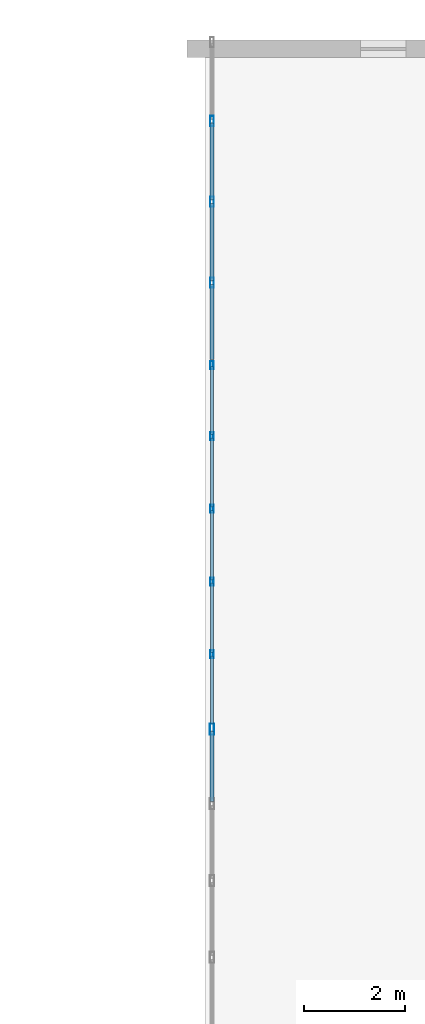
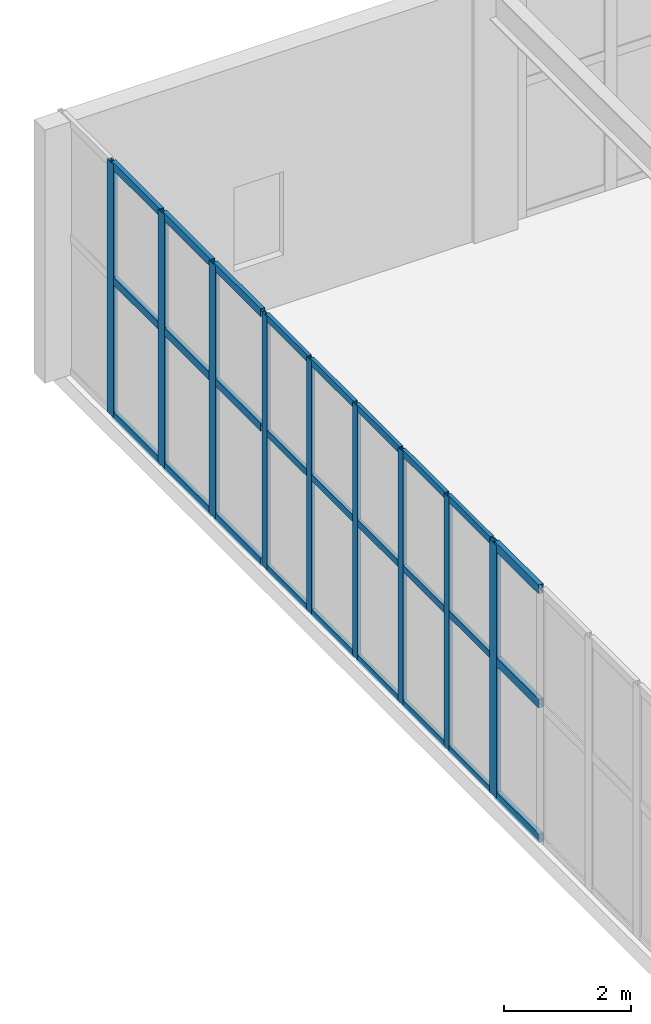
# One storey, part 73 of 128: 36 members, 3 elements without a shape of their own.
"""IFC4 building model written with IfcOpenShell, lengths in metres."""

from ifc_helpers import new_model, si_unit, direction, frame, origin, origin_2d, place, context, subcontext, project, spatial, hollow_rectangle, extrude, material, layer, layer_set, material_profile, profile_set, type_object, element, aggregate, save


model = new_model("IFC4")

# Units and contexts
model_context = context("Model", 3, precision=1e-05, world=origin(), true_north=direction((0.0, 1.0)))
body_context = subcontext(model_context, "Body", "Model", "MODEL_VIEW")
ifc_project = project(units=[si_unit("LENGTHUNIT", "METRE"), si_unit("AREAUNIT", "SQUARE_METRE"), si_unit("VOLUMEUNIT", "CUBIC_METRE"), si_unit("PLANEANGLEUNIT", "RADIAN"), si_unit("MASSUNIT", "GRAM", prefix="KILO")], contexts=[model_context])

# Site, building, storey
site_placement = place(None, origin())
site = spatial("IfcSite", under=ifc_project, at=site_placement, CompositionType="ELEMENT")
building_placement = place(site_placement, origin())
building = spatial("IfcBuilding", under=site, at=building_placement, Name="Xicomal Pleat Aquarium", CompositionType="ELEMENT")
storey_placement = place(building_placement, frame((0.0, 0.0, 5.39990234375)))
storey = spatial("IfcBuildingStorey", under=building, at=storey_placement, Name="L02", CompositionType="ELEMENT", Elevation=5.39990234375)

# Curtain wall, members
ifc_material_1 = material(Name="Bronze anodized aluminium 6063-T6", Category="aluminium")
ifc_layer_1 = layer(ifc_material_1, 0.159912109375)
ifc_layer_set_1 = layer_set([ifc_layer_1], Name="Bronze anodized aluminium 6063-T6")
curtain_wall_type_1 = type_object("IfcCurtainWallType", Name="CW-SYS-02", PredefinedType="NOTDEFINED", material=ifc_layer_set_1)
curtain_wall_1_placement = place(storey_placement, origin())
curtain_wall_1 = element("IfcCurtainWall", 1, at=curtain_wall_1_placement, inside=storey, type_object=curtain_wall_type_1, Name="L02 unitised curtain wall CW-L02-087", PredefinedType="NOTDEFINED")
ifc_material_2 = material(Name="Bronze anodized aluminium 6063-T6", Category="aluminium")
ifc_material_profile_1 = material_profile(ifc_material_2, hollow_rectangle(XDim=0.06494140625, YDim=0.159912109375, WallThickness=0.00390625, at=origin_2d()), Name="ALU MULL 65x160")
ifc_profile_set_1 = profile_set([ifc_material_profile_1], Name="Bronze anodized aluminium 6063-T6")
member_type_1 = type_object("IfcMemberType", Name="CWM-65x160", PredefinedType="MULLION", material=ifc_profile_set_1)
member_1_placement = place(storey_placement, frame((126.139892578125, 92.639892578125, 0.0), z_axis=(0.0, 0.0, 1.0), x_axis=(-1.0, 0.0, 0.0)))
member_1 = element("IfcMember", 2, at=member_1_placement, type_object=member_type_1, Name="CW-02 mullion 2", PredefinedType="MULLION", context=body_context, shape_type="SweptSolid", body=[
    extrude(hollow_rectangle(XDim=0.06494140625, YDim=0.159912109375, WallThickness=0.00390625, at=origin_2d()), origin(), (0.0, 0.0, 1.0), 4.860107421875),
])
member_2_placement = place(storey_placement, frame((126.139892578125, 94.080078125, 0.0), z_axis=(0.0, 0.0, 1.0), x_axis=(-1.0, 0.0, 0.0)))
member_2 = element("IfcMember", 3, at=member_2_placement, type_object=member_type_1, Name="CW-02 mullion 3", PredefinedType="MULLION", context=body_context, shape_type="SweptSolid", body=[
    extrude(hollow_rectangle(XDim=0.06494140625, YDim=0.159912109375, WallThickness=0.00390625, at=origin_2d()), origin(), (0.0, 0.0, 1.0), 4.860107421875),
])
member_3_placement = place(storey_placement, frame((126.139892578125, 95.52001953125, 0.0), z_axis=(0.0, 0.0, 1.0), x_axis=(-1.0, 0.0, 0.0)))
member_3 = element("IfcMember", 4, at=member_3_placement, type_object=member_type_1, Name="CW-02 mullion 4", PredefinedType="MULLION", context=body_context, shape_type="SweptSolid", body=[
    extrude(hollow_rectangle(XDim=0.06494140625, YDim=0.159912109375, WallThickness=0.00390625, at=origin_2d()), origin(), (0.0, 0.0, 1.0), 4.860107421875),
])
member_4_placement = place(storey_placement, frame((126.139892578125, 96.9599609375, 0.0), z_axis=(0.0, 0.0, 1.0), x_axis=(-1.0, 0.0, 0.0)))
member_4 = element("IfcMember", 5, at=member_4_placement, type_object=member_type_1, Name="CW-02 mullion 5", PredefinedType="MULLION", context=body_context, shape_type="SweptSolid", body=[
    extrude(hollow_rectangle(XDim=0.06494140625, YDim=0.159912109375, WallThickness=0.00390625, at=origin_2d()), origin(), (0.0, 0.0, 1.0), 4.860107421875),
])
member_5_placement = place(storey_placement, frame((126.139892578125, 98.367431640625, 0.0), z_axis=(0.0, 0.0, 1.0), x_axis=(-1.0, 0.0, 0.0)))
member_5 = element("IfcMember", 6, at=member_5_placement, type_object=member_type_1, Name="CW-02 mullion 6", PredefinedType="MULLION", context=body_context, shape_type="SweptSolid", body=[
    extrude(hollow_rectangle(XDim=0.06494140625, YDim=0.159912109375, WallThickness=0.00390625, at=origin_2d()), origin(), (0.0, 0.0, 1.0), 4.860107421875),
])

ifc_material_3 = material(Name="Bronze anodized aluminium 6063-T6", Category="aluminium")
ifc_layer_2 = layer(ifc_material_3, 0.159912109375)
ifc_layer_set_2 = layer_set([ifc_layer_2], Name="Bronze anodized aluminium 6063-T6")
curtain_wall_type_2 = type_object("IfcCurtainWallType", Name="CW-SYS-07", PredefinedType="NOTDEFINED", material=ifc_layer_set_2)
curtain_wall_2_placement = place(storey_placement, origin())
curtain_wall_2 = element("IfcCurtainWall", 7, at=curtain_wall_2_placement, inside=storey, type_object=curtain_wall_type_2, Name="L02 unitised curtain wall CW-L02-088", PredefinedType="NOTDEFINED")
ifc_material_4 = material(Name="Bronze anodized aluminium 6063-T6", Category="aluminium")
ifc_material_profile_2 = material_profile(ifc_material_4, hollow_rectangle(XDim=0.074951171875, YDim=0.199951171875, WallThickness=0.00439453125, at=origin_2d()), Name="ALU MULL 75x200")
ifc_profile_set_2 = profile_set([ifc_material_profile_2], Name="Bronze anodized aluminium 6063-T6")
member_type_2 = type_object("IfcMemberType", Name="CWM-75x200", PredefinedType="MULLION", material=ifc_profile_set_2)
member_6_placement = place(storey_placement, frame((126.139892578125, 100.0, 0.0), z_axis=(0.0, 0.0, 1.0), x_axis=(-1.0, 0.0, 0.0)))
member_6 = element("IfcMember", 8, at=member_6_placement, type_object=member_type_2, Name="CW-07 mullion 2", PredefinedType="MULLION", context=body_context, shape_type="SweptSolid", body=[
    extrude(hollow_rectangle(XDim=0.074951171875, YDim=0.199951171875, WallThickness=0.00439453125, at=origin_2d()), origin(), (0.0, 0.0, 1.0), 4.860107421875),
])
member_7_placement = place(storey_placement, frame((126.139892578125, 101.60009765625, 0.0), z_axis=(0.0, 0.0, 1.0), x_axis=(-1.0, 0.0, 0.0)))
member_7 = element("IfcMember", 9, at=member_7_placement, type_object=member_type_2, Name="CW-07 mullion 3", PredefinedType="MULLION", context=body_context, shape_type="SweptSolid", body=[
    extrude(hollow_rectangle(XDim=0.074951171875, YDim=0.199951171875, WallThickness=0.00439453125, at=origin_2d()), origin(), (0.0, 0.0, 1.0), 4.860107421875),
])
member_8_placement = place(storey_placement, frame((126.139892578125, 103.199951171875, 0.0), z_axis=(0.0, 0.0, 1.0), x_axis=(-1.0, 0.0, 0.0)))
member_8 = element("IfcMember", 10, at=member_8_placement, type_object=member_type_2, Name="CW-07 mullion 4", PredefinedType="MULLION", context=body_context, shape_type="SweptSolid", body=[
    extrude(hollow_rectangle(XDim=0.074951171875, YDim=0.199951171875, WallThickness=0.00439453125, at=origin_2d()), origin(), (0.0, 0.0, 1.0), 4.860107421875),
])

# Curtain wall, member
ifc_material_5 = material(Name="Bronze anodized aluminium 6063-T6", Category="aluminium")
ifc_layer_3 = layer(ifc_material_5, 0.159912109375)
ifc_layer_set_3 = layer_set([ifc_layer_3], Name="Bronze anodized aluminium 6063-T6")
curtain_wall_type_3 = type_object("IfcCurtainWallType", Name="CW-SYS-12", PredefinedType="NOTDEFINED", material=ifc_layer_set_3)
curtain_wall_3_placement = place(storey_placement, origin())
curtain_wall_3 = element("IfcCurtainWall", 11, at=curtain_wall_3_placement, inside=storey, type_object=curtain_wall_type_3, Name="L02 unitised curtain wall CW-L02-086", PredefinedType="NOTDEFINED")
ifc_material_6 = material(Name="Bronze anodized aluminium 6063-T6", Category="aluminium")
ifc_material_profile_3 = material_profile(ifc_material_6, hollow_rectangle(XDim=0.0849609375, YDim=0.219970703125, WallThickness=0.0048828125, at=origin_2d()), Name="ALU MULL 85x220")
ifc_profile_set_3 = profile_set([ifc_material_profile_3], Name="Bronze anodized aluminium 6063-T6")
member_type_3 = type_object("IfcMemberType", Name="CWM-85x220", PredefinedType="MULLION", material=ifc_profile_set_3)
member_9_placement = place(storey_placement, frame((126.139892578125, 91.157470703125, 0.0), z_axis=(0.0, 0.0, 1.0), x_axis=(-1.0, 0.0, 0.0)))
member_9 = element("IfcMember", 12, at=member_9_placement, type_object=member_type_3, Name="CW-12 mullion 6", PredefinedType="MULLION", context=body_context, shape_type="SweptSolid", body=[
    extrude(hollow_rectangle(XDim=0.0849609375, YDim=0.219970703125, WallThickness=0.0048828125, at=origin_2d()), origin(), (0.0, 0.0, 1.0), 4.860107421875),
])

# Member
ifc_material_7 = material(Name="Bronze anodized aluminium 6063-T6", Category="aluminium")
ifc_material_profile_4 = material_profile(ifc_material_7, hollow_rectangle(XDim=0.06494140625, YDim=0.1298828125, WallThickness=0.00390625, at=origin_2d()), Name="ALU TRAN 65x130")
ifc_profile_set_4 = profile_set([ifc_material_profile_4], Name="Bronze anodized aluminium 6063-T6")
member_type_4 = type_object("IfcMemberType", Name="CWT-65x130", PredefinedType="USERDEFINED", material=ifc_profile_set_4)
member_10_placement = place(storey_placement, frame((126.139892578125, 91.264892578125, 0.03271484375), z_axis=(0.0, 1.0, 0.0), x_axis=(-1.0, 0.0, 0.0)))
member_10 = element("IfcMember", 13, at=member_10_placement, type_object=member_type_4, Name="CW-02 transom 1.1", ObjectType="TRANSOM", PredefinedType="USERDEFINED", context=body_context, shape_type="SweptSolid", body=[
    extrude(hollow_rectangle(XDim=0.06494140625, YDim=0.1298828125, WallThickness=0.00390625, at=origin_2d()), origin(), (0.0, 0.0, 1.0), 1.342529296875),
])

member_11_placement = place(storey_placement, frame((126.139892578125, 91.264892578125, 2.6240234375), z_axis=(0.0, 1.0, 0.0), x_axis=(-1.0, 0.0, 0.0)))
member_11 = element("IfcMember", 14, at=member_11_placement, type_object=member_type_4, Name="CW-02 transom 1.2", ObjectType="TRANSOM", PredefinedType="USERDEFINED", context=body_context, shape_type="SweptSolid", body=[
    extrude(hollow_rectangle(XDim=0.06494140625, YDim=0.1298828125, WallThickness=0.00390625, at=origin_2d()), origin(), (0.0, 0.0, 1.0), 1.342529296875),
])

member_12_placement = place(storey_placement, frame((126.139892578125, 91.264892578125, 4.82763671875), z_axis=(0.0, 1.0, 0.0), x_axis=(-1.0, 0.0, 0.0)))
member_12 = element("IfcMember", 15, at=member_12_placement, type_object=member_type_4, Name="CW-02 transom 1.3", ObjectType="TRANSOM", PredefinedType="USERDEFINED", context=body_context, shape_type="SweptSolid", body=[
    extrude(hollow_rectangle(XDim=0.06494140625, YDim=0.1298828125, WallThickness=0.00390625, at=origin_2d()), origin(), (0.0, 0.0, 1.0), 1.342529296875),
])

member_13_placement = place(storey_placement, frame((126.139892578125, 92.672607421875, 0.03271484375), z_axis=(0.0, 1.0, 0.0), x_axis=(-1.0, 0.0, 0.0)))
member_13 = element("IfcMember", 16, at=member_13_placement, type_object=member_type_4, Name="CW-02 transom 2.1", ObjectType="TRANSOM", PredefinedType="USERDEFINED", context=body_context, shape_type="SweptSolid", body=[
    extrude(hollow_rectangle(XDim=0.06494140625, YDim=0.1298828125, WallThickness=0.00390625, at=origin_2d()), origin(), (0.0, 0.0, 1.0), 1.375),
])

member_14_placement = place(storey_placement, frame((126.139892578125, 92.672607421875, 2.6240234375), z_axis=(0.0, 1.0, 0.0), x_axis=(-1.0, 0.0, 0.0)))
member_14 = element("IfcMember", 17, at=member_14_placement, type_object=member_type_4, Name="CW-02 transom 2.2", ObjectType="TRANSOM", PredefinedType="USERDEFINED", context=body_context, shape_type="SweptSolid", body=[
    extrude(hollow_rectangle(XDim=0.06494140625, YDim=0.1298828125, WallThickness=0.00390625, at=origin_2d()), origin(), (0.0, 0.0, 1.0), 1.375),
])

member_15_placement = place(storey_placement, frame((126.139892578125, 92.672607421875, 4.82763671875), z_axis=(0.0, 1.0, 0.0), x_axis=(-1.0, 0.0, 0.0)))
member_15 = element("IfcMember", 18, at=member_15_placement, type_object=member_type_4, Name="CW-02 transom 2.3", ObjectType="TRANSOM", PredefinedType="USERDEFINED", context=body_context, shape_type="SweptSolid", body=[
    extrude(hollow_rectangle(XDim=0.06494140625, YDim=0.1298828125, WallThickness=0.00390625, at=origin_2d()), origin(), (0.0, 0.0, 1.0), 1.375),
])

member_16_placement = place(storey_placement, frame((126.139892578125, 94.112548828125, 0.03271484375), z_axis=(0.0, 1.0, 0.0), x_axis=(-1.0, 0.0, 0.0)))
member_16 = element("IfcMember", 19, at=member_16_placement, type_object=member_type_4, Name="CW-02 transom 3.1", ObjectType="TRANSOM", PredefinedType="USERDEFINED", context=body_context, shape_type="SweptSolid", body=[
    extrude(hollow_rectangle(XDim=0.06494140625, YDim=0.1298828125, WallThickness=0.00390625, at=origin_2d()), origin(), (0.0, 0.0, 1.0), 1.375),
])

member_17_placement = place(storey_placement, frame((126.139892578125, 94.112548828125, 2.6240234375), z_axis=(0.0, 1.0, 0.0), x_axis=(-1.0, 0.0, 0.0)))
member_17 = element("IfcMember", 20, at=member_17_placement, type_object=member_type_4, Name="CW-02 transom 3.2", ObjectType="TRANSOM", PredefinedType="USERDEFINED", context=body_context, shape_type="SweptSolid", body=[
    extrude(hollow_rectangle(XDim=0.06494140625, YDim=0.1298828125, WallThickness=0.00390625, at=origin_2d()), origin(), (0.0, 0.0, 1.0), 1.375),
])

member_18_placement = place(storey_placement, frame((126.139892578125, 94.112548828125, 4.82763671875), z_axis=(0.0, 1.0, 0.0), x_axis=(-1.0, 0.0, 0.0)))
member_18 = element("IfcMember", 21, at=member_18_placement, type_object=member_type_4, Name="CW-02 transom 3.3", ObjectType="TRANSOM", PredefinedType="USERDEFINED", context=body_context, shape_type="SweptSolid", body=[
    extrude(hollow_rectangle(XDim=0.06494140625, YDim=0.1298828125, WallThickness=0.00390625, at=origin_2d()), origin(), (0.0, 0.0, 1.0), 1.375),
])

member_19_placement = place(storey_placement, frame((126.139892578125, 95.552490234375, 0.03271484375), z_axis=(0.0, 1.0, 0.0), x_axis=(-1.0, 0.0, 0.0)))
member_19 = element("IfcMember", 22, at=member_19_placement, type_object=member_type_4, Name="CW-02 transom 4.1", ObjectType="TRANSOM", PredefinedType="USERDEFINED", context=body_context, shape_type="SweptSolid", body=[
    extrude(hollow_rectangle(XDim=0.06494140625, YDim=0.1298828125, WallThickness=0.00390625, at=origin_2d()), origin(), (0.0, 0.0, 1.0), 1.375),
])

member_20_placement = place(storey_placement, frame((126.139892578125, 95.552490234375, 2.6240234375), z_axis=(0.0, 1.0, 0.0), x_axis=(-1.0, 0.0, 0.0)))
member_20 = element("IfcMember", 23, at=member_20_placement, type_object=member_type_4, Name="CW-02 transom 4.2", ObjectType="TRANSOM", PredefinedType="USERDEFINED", context=body_context, shape_type="SweptSolid", body=[
    extrude(hollow_rectangle(XDim=0.06494140625, YDim=0.1298828125, WallThickness=0.00390625, at=origin_2d()), origin(), (0.0, 0.0, 1.0), 1.375),
])

member_21_placement = place(storey_placement, frame((126.139892578125, 95.552490234375, 4.82763671875), z_axis=(0.0, 1.0, 0.0), x_axis=(-1.0, 0.0, 0.0)))
member_21 = element("IfcMember", 24, at=member_21_placement, type_object=member_type_4, Name="CW-02 transom 4.3", ObjectType="TRANSOM", PredefinedType="USERDEFINED", context=body_context, shape_type="SweptSolid", body=[
    extrude(hollow_rectangle(XDim=0.06494140625, YDim=0.1298828125, WallThickness=0.00390625, at=origin_2d()), origin(), (0.0, 0.0, 1.0), 1.375),
])

member_22_placement = place(storey_placement, frame((126.139892578125, 96.992431640625, 0.03271484375), z_axis=(0.0, 1.0, 0.0), x_axis=(-1.0, 0.0, 0.0)))
member_22 = element("IfcMember", 25, at=member_22_placement, type_object=member_type_4, Name="CW-02 transom 5.1", ObjectType="TRANSOM", PredefinedType="USERDEFINED", context=body_context, shape_type="SweptSolid", body=[
    extrude(hollow_rectangle(XDim=0.06494140625, YDim=0.1298828125, WallThickness=0.00390625, at=origin_2d()), origin(), (0.0, 0.0, 1.0), 1.342529296875),
])

member_23_placement = place(storey_placement, frame((126.139892578125, 96.992431640625, 2.6240234375), z_axis=(0.0, 1.0, 0.0), x_axis=(-1.0, 0.0, 0.0)))
member_23 = element("IfcMember", 26, at=member_23_placement, type_object=member_type_4, Name="CW-02 transom 5.2", ObjectType="TRANSOM", PredefinedType="USERDEFINED", context=body_context, shape_type="SweptSolid", body=[
    extrude(hollow_rectangle(XDim=0.06494140625, YDim=0.1298828125, WallThickness=0.00390625, at=origin_2d()), origin(), (0.0, 0.0, 1.0), 1.342529296875),
])

member_24_placement = place(storey_placement, frame((126.139892578125, 96.992431640625, 4.82763671875), z_axis=(0.0, 1.0, 0.0), x_axis=(-1.0, 0.0, 0.0)))
member_24 = element("IfcMember", 27, at=member_24_placement, type_object=member_type_4, Name="CW-02 transom 5.3", ObjectType="TRANSOM", PredefinedType="USERDEFINED", context=body_context, shape_type="SweptSolid", body=[
    extrude(hollow_rectangle(XDim=0.06494140625, YDim=0.1298828125, WallThickness=0.00390625, at=origin_2d()), origin(), (0.0, 0.0, 1.0), 1.342529296875),
])

aggregate(curtain_wall_1, [member_1, member_2, member_3, member_4, member_5, member_10, member_11, member_12, member_13, member_14, member_15, member_16, member_17, member_18, member_19, member_20, member_21, member_22, member_23, member_24])

ifc_material_8 = material(Name="Bronze anodized aluminium 6063-T6", Category="aluminium")
ifc_material_profile_5 = material_profile(ifc_material_8, hollow_rectangle(XDim=0.074951171875, YDim=0.14990234375, WallThickness=0.00439453125, at=origin_2d()), Name="ALU TRAN 75x150")
ifc_profile_set_5 = profile_set([ifc_material_profile_5], Name="Bronze anodized aluminium 6063-T6")
member_type_5 = type_object("IfcMemberType", Name="CWT-75x150", PredefinedType="USERDEFINED", material=ifc_profile_set_5)
member_25_placement = place(storey_placement, frame((126.139892578125, 98.47509765625, 0.03759765625), z_axis=(0.0, 1.0, 0.0), x_axis=(-1.0, 0.0, 0.0)))
member_25 = element("IfcMember", 28, at=member_25_placement, type_object=member_type_5, Name="CW-07 transom 1.1", ObjectType="TRANSOM", PredefinedType="USERDEFINED", context=body_context, shape_type="SweptSolid", body=[
    extrude(hollow_rectangle(XDim=0.074951171875, YDim=0.14990234375, WallThickness=0.00439453125, at=origin_2d()), origin(), (0.0, 0.0, 1.0), 1.4873046875),
])

member_26_placement = place(storey_placement, frame((126.139892578125, 98.47509765625, 2.6240234375), z_axis=(0.0, 1.0, 0.0), x_axis=(-1.0, 0.0, 0.0)))
member_26 = element("IfcMember", 29, at=member_26_placement, type_object=member_type_5, Name="CW-07 transom 1.2", ObjectType="TRANSOM", PredefinedType="USERDEFINED", context=body_context, shape_type="SweptSolid", body=[
    extrude(hollow_rectangle(XDim=0.074951171875, YDim=0.14990234375, WallThickness=0.00439453125, at=origin_2d()), origin(), (0.0, 0.0, 1.0), 1.4873046875),
])

member_27_placement = place(storey_placement, frame((126.139892578125, 98.47509765625, 4.822509765625), z_axis=(0.0, 1.0, 0.0), x_axis=(-1.0, 0.0, 0.0)))
member_27 = element("IfcMember", 30, at=member_27_placement, type_object=member_type_5, Name="CW-07 transom 1.3", ObjectType="TRANSOM", PredefinedType="USERDEFINED", context=body_context, shape_type="SweptSolid", body=[
    extrude(hollow_rectangle(XDim=0.074951171875, YDim=0.14990234375, WallThickness=0.00439453125, at=origin_2d()), origin(), (0.0, 0.0, 1.0), 1.4873046875),
])

member_28_placement = place(storey_placement, frame((126.139892578125, 100.03759765625, 0.03759765625), z_axis=(0.0, 1.0, 0.0), x_axis=(-1.0, 0.0, 0.0)))
member_28 = element("IfcMember", 31, at=member_28_placement, type_object=member_type_5, Name="CW-07 transom 2.1", ObjectType="TRANSOM", PredefinedType="USERDEFINED", context=body_context, shape_type="SweptSolid", body=[
    extrude(hollow_rectangle(XDim=0.074951171875, YDim=0.14990234375, WallThickness=0.00439453125, at=origin_2d()), origin(), (0.0, 0.0, 1.0), 1.52490234375),
])

member_29_placement = place(storey_placement, frame((126.139892578125, 100.03759765625, 2.6240234375), z_axis=(0.0, 1.0, 0.0), x_axis=(-1.0, 0.0, 0.0)))
member_29 = element("IfcMember", 32, at=member_29_placement, type_object=member_type_5, Name="CW-07 transom 2.2", ObjectType="TRANSOM", PredefinedType="USERDEFINED", context=body_context, shape_type="SweptSolid", body=[
    extrude(hollow_rectangle(XDim=0.074951171875, YDim=0.14990234375, WallThickness=0.00439453125, at=origin_2d()), origin(), (0.0, 0.0, 1.0), 1.52490234375),
])

member_30_placement = place(storey_placement, frame((126.139892578125, 100.03759765625, 4.822509765625), z_axis=(0.0, 1.0, 0.0), x_axis=(-1.0, 0.0, 0.0)))
member_30 = element("IfcMember", 33, at=member_30_placement, type_object=member_type_5, Name="CW-07 transom 2.3", ObjectType="TRANSOM", PredefinedType="USERDEFINED", context=body_context, shape_type="SweptSolid", body=[
    extrude(hollow_rectangle(XDim=0.074951171875, YDim=0.14990234375, WallThickness=0.00439453125, at=origin_2d()), origin(), (0.0, 0.0, 1.0), 1.52490234375),
])

member_31_placement = place(storey_placement, frame((126.139892578125, 101.637451171875, 0.03759765625), z_axis=(0.0, 1.0, 0.0), x_axis=(-1.0, 0.0, 0.0)))
member_31 = element("IfcMember", 34, at=member_31_placement, type_object=member_type_5, Name="CW-07 transom 3.1", ObjectType="TRANSOM", PredefinedType="USERDEFINED", context=body_context, shape_type="SweptSolid", body=[
    extrude(hollow_rectangle(XDim=0.074951171875, YDim=0.14990234375, WallThickness=0.00439453125, at=origin_2d()), origin(), (0.0, 0.0, 1.0), 1.525146484375),
])

member_32_placement = place(storey_placement, frame((126.139892578125, 101.637451171875, 2.6240234375), z_axis=(0.0, 1.0, 0.0), x_axis=(-1.0, 0.0, 0.0)))
member_32 = element("IfcMember", 35, at=member_32_placement, type_object=member_type_5, Name="CW-07 transom 3.2", ObjectType="TRANSOM", PredefinedType="USERDEFINED", context=body_context, shape_type="SweptSolid", body=[
    extrude(hollow_rectangle(XDim=0.074951171875, YDim=0.14990234375, WallThickness=0.00439453125, at=origin_2d()), origin(), (0.0, 0.0, 1.0), 1.525146484375),
])

member_33_placement = place(storey_placement, frame((126.139892578125, 101.637451171875, 4.822509765625), z_axis=(0.0, 1.0, 0.0), x_axis=(-1.0, 0.0, 0.0)))
member_33 = element("IfcMember", 36, at=member_33_placement, type_object=member_type_5, Name="CW-07 transom 3.3", ObjectType="TRANSOM", PredefinedType="USERDEFINED", context=body_context, shape_type="SweptSolid", body=[
    extrude(hollow_rectangle(XDim=0.074951171875, YDim=0.14990234375, WallThickness=0.00439453125, at=origin_2d()), origin(), (0.0, 0.0, 1.0), 1.525146484375),
])

aggregate(curtain_wall_2, [member_6, member_7, member_8, member_25, member_26, member_27, member_28, member_29, member_30, member_31, member_32, member_33])

ifc_material_9 = material(Name="Bronze anodized aluminium 6063-T6", Category="aluminium")
ifc_material_profile_6 = material_profile(ifc_material_9, hollow_rectangle(XDim=0.0849609375, YDim=0.169921875, WallThickness=0.0048828125, at=origin_2d()), Name="ALU TRAN 85x170")
ifc_profile_set_6 = profile_set([ifc_material_profile_6], Name="Bronze anodized aluminium 6063-T6")
member_type_6 = type_object("IfcMemberType", Name="CWT-85x170", PredefinedType="USERDEFINED", material=ifc_profile_set_6)
member_34_placement = place(storey_placement, frame((126.139892578125, 89.722412109375, 0.04248046875), z_axis=(0.0, 1.0, 0.0), x_axis=(-1.0, 0.0, 0.0)))
member_34 = element("IfcMember", 37, at=member_34_placement, type_object=member_type_6, Name="CW-12 transom 5.1", ObjectType="TRANSOM", PredefinedType="USERDEFINED", context=body_context, shape_type="SweptSolid", body=[
    extrude(hollow_rectangle(XDim=0.0849609375, YDim=0.169921875, WallThickness=0.0048828125, at=origin_2d()), origin(), (0.0, 0.0, 1.0), 1.392578125),
])

member_35_placement = place(storey_placement, frame((126.139892578125, 89.722412109375, 2.6240234375), z_axis=(0.0, 1.0, 0.0), x_axis=(-1.0, 0.0, 0.0)))
member_35 = element("IfcMember", 38, at=member_35_placement, type_object=member_type_6, Name="CW-12 transom 5.2", ObjectType="TRANSOM", PredefinedType="USERDEFINED", context=body_context, shape_type="SweptSolid", body=[
    extrude(hollow_rectangle(XDim=0.0849609375, YDim=0.169921875, WallThickness=0.0048828125, at=origin_2d()), origin(), (0.0, 0.0, 1.0), 1.392578125),
])

member_36_placement = place(storey_placement, frame((126.139892578125, 89.722412109375, 4.817626953125), z_axis=(0.0, 1.0, 0.0), x_axis=(-1.0, 0.0, 0.0)))
member_36 = element("IfcMember", 39, at=member_36_placement, type_object=member_type_6, Name="CW-12 transom 5.3", ObjectType="TRANSOM", PredefinedType="USERDEFINED", context=body_context, shape_type="SweptSolid", body=[
    extrude(hollow_rectangle(XDim=0.0849609375, YDim=0.169921875, WallThickness=0.0048828125, at=origin_2d()), origin(), (0.0, 0.0, 1.0), 1.392578125),
])

aggregate(curtain_wall_3, [member_9, member_34, member_35, member_36])

save(model, "model.ifc")
